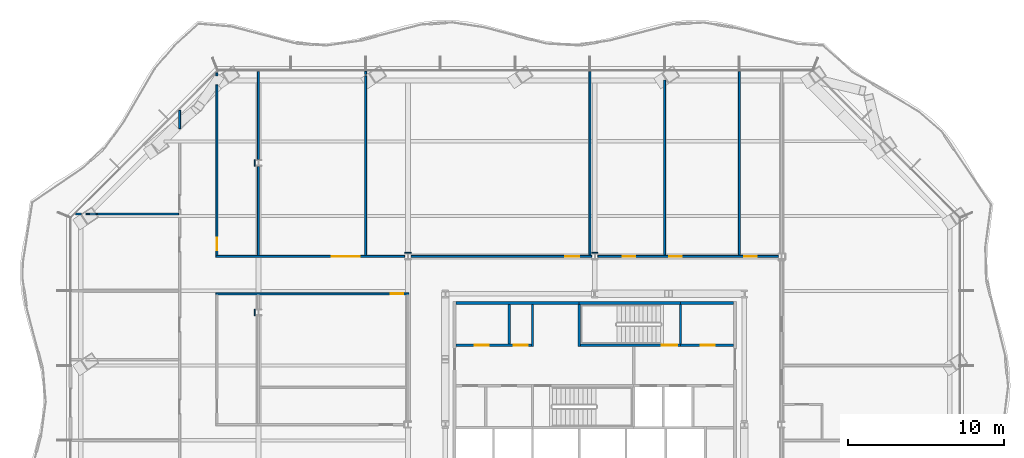
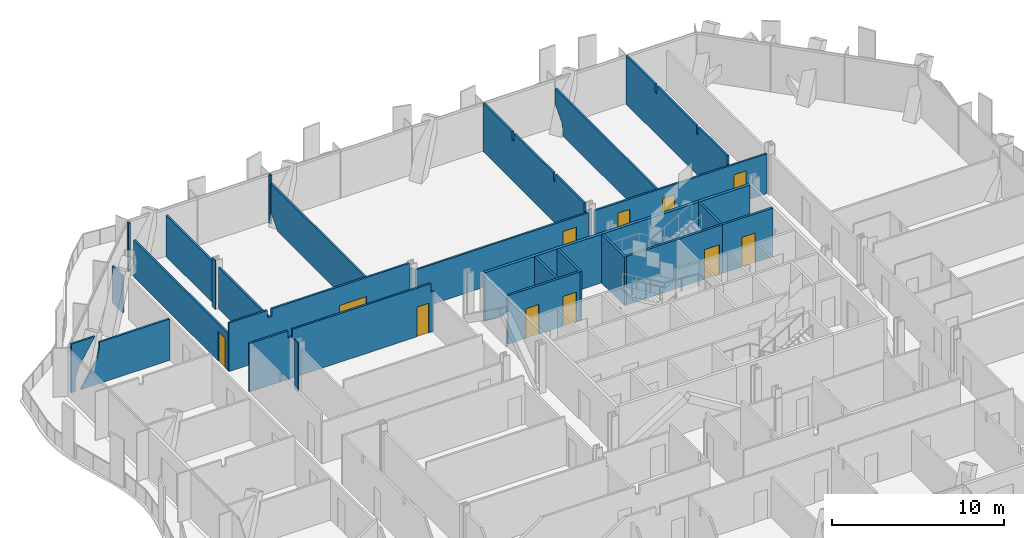
# One storey, part 11 of 19: 30 walls, 11 doors, 11 openings.
"""IFC4 building model written with IfcOpenShell, lengths in metres."""

from ifc_helpers import new_model, si_unit, direction, frame, frame_2d, origin, place, context, subcontext, project, spatial, polyline, rectangle, outline, extrude, material, layer, layer_set, type_object, element, fill, save


model = new_model("IFC4")

# Units and contexts
model_context = context("Model", 3, precision=1e-05, world=origin(), true_north=direction((0.0, 1.0)))
body_context = subcontext(model_context, "Body", "Model", "MODEL_VIEW")
ifc_project = project(units=[si_unit("LENGTHUNIT", "METRE"), si_unit("AREAUNIT", "SQUARE_METRE"), si_unit("VOLUMEUNIT", "CUBIC_METRE"), si_unit("PLANEANGLEUNIT", "RADIAN"), si_unit("MASSUNIT", "GRAM", prefix="KILO")], contexts=[model_context])

# Site, building, storey
site_placement = place(None, origin())
site = spatial("IfcSite", under=ifc_project, at=site_placement, CompositionType="ELEMENT")
building_placement = place(site_placement, origin())
building = spatial("IfcBuilding", under=site, at=building_placement, Name="Cairn Pilgrim Tower", CompositionType="ELEMENT")
storey_placement = place(building_placement, frame((0.0, 0.0, 97.800048828125)))
storey = spatial("IfcBuildingStorey", under=building, at=storey_placement, Name="L23", CompositionType="ELEMENT", Elevation=97.800048828125)

# Walls
ifc_material_1 = material(Name="Concrete C32/40", Category="concrete")
ifc_layer_1 = layer(ifc_material_1, 0.199951171875)
ifc_layer_set_1 = layer_set([ifc_layer_1], Name="CORE OUTER WALL 200 EI 120")
wall_type_1 = type_object("IfcWallType", Name="CORE OUTER WALL 200 EI 120", PredefinedType="SOLIDWALL", material=ifc_layer_set_1)
wall_1_placement = place(storey_placement, frame((-1.699951171875, 10.199951171875, 0.0), z_axis=(0.0, 0.0, 1.0), x_axis=(1.0, 0.0, 0.0)))
element("IfcWall", 1, at=wall_1_placement, inside=storey, type_object=wall_type_1, Name="CW:L23:H11-1", PredefinedType="SOLIDWALL", context=body_context, shape_type="SweptSolid", body=[
    extrude(rectangle(XDim=7.89990234375, YDim=0.199951171875, at=frame_2d((3.949951171875, 0.0))), origin(), (0.0, 0.0, 1.0), 3.449951171875),
])
wall_2_placement = place(storey_placement, frame((12.699951171875, 10.199951171875, 0.0), z_axis=(0.0, 0.0, 1.0), x_axis=(1.0, 0.0, 0.0)))
element("IfcWall", 2, at=wall_2_placement, inside=storey, type_object=wall_type_1, Name="CW:L23:H11-3", PredefinedType="SOLIDWALL", context=body_context, shape_type="SweptSolid", body=[
    extrude(rectangle(XDim=3.400146484375, YDim=0.199951171875, at=frame_2d((1.7001953125, 0.0))), origin(), (0.0, 0.0, 1.0), 3.449951171875),
])

# Wall, openings, doors
ifc_layer_2 = layer(ifc_material_1, 0.14990234375)
ifc_layer_set_2 = layer_set([ifc_layer_2], Name="CORE PARTITION 150 EI 60")
wall_type_2 = type_object("IfcWallType", Name="CORE PARTITION 150 EI 60", PredefinedType="PARTITIONING", material=ifc_layer_set_2)
wall_3_placement = place(storey_placement, frame((-1.699951171875, 7.5, 0.0), z_axis=(0.0, 0.0, 1.0), x_axis=(1.0, 0.0, 0.0)))
wall_3 = element("IfcWall", 3, at=wall_3_placement, inside=storey, type_object=wall_type_2, Name="CW:L23:H09", PredefinedType="PARTITIONING", context=body_context, shape_type="SweptSolid", body=[
    extrude(rectangle(XDim=4.824951171875, YDim=0.14990234375, at=frame_2d((2.41259765625, 0.0))), origin(), (0.0, 0.0, 1.0), 3.449951171875),
])
opening_1_placement = place(wall_3_placement, frame((1.199951171875, 0.0, 0.0)))
opening_1 = element("IfcOpeningElement", 4, at=opening_1_placement, cuts=wall_3, Name="Opening RD-R4W1", PredefinedType="OPENING", context=body_context, shape_type="SweptSolid", body=[
    extrude(rectangle(XDim=0.89990234375, YDim=2.10009765625, at=frame_2d((0.449951171875, 1.050048828125))), frame((0.0, 0.0849609375, 0.0), z_axis=(0.0, -1.0, 0.0), x_axis=(1.0, 0.0, 0.0)), (0.0, 0.0, 1.0), 0.169921875),
])
opening_2_placement = place(wall_3_placement, frame((3.699951171875, 0.0, 0.0)))
opening_2 = element("IfcOpeningElement", 5, at=opening_2_placement, cuts=wall_3, Name="Opening RD-R4W2", PredefinedType="OPENING", context=body_context, shape_type="SweptSolid", body=[
    extrude(rectangle(XDim=0.89990234375, YDim=2.10009765625, at=frame_2d((0.449951171875, 1.050048828125))), frame((0.0, 0.0849609375, 0.0), z_axis=(0.0, -1.0, 0.0), x_axis=(1.0, 0.0, 0.0)), (0.0, 0.0, 1.0), 0.169921875),
])
ifc_material_2 = material(Name="Painted steel", Category="steel")
door_type_1 = type_object("IfcDoorType", Name="SERVICE ROOM DOOR 900x2100", OperationType="SINGLE_SWING_LEFT", PredefinedType="DOOR", material=ifc_material_2)
door_1_placement = place(opening_1_placement, origin())
door_1 = element("IfcDoor", 6, at=door_1_placement, inside=storey, type_object=door_type_1, Name="RD-R4W1", OperationType="SINGLE_SWING_LEFT", OverallHeight=2.10009765625, OverallWidth=0.89990234375, PredefinedType="DOOR", context=body_context, shape_type="SweptSolid", body=[
    extrude(rectangle(XDim=0.89990234375, YDim=2.10009765625, at=frame_2d((0.449951171875, 1.050048828125))), frame((0.0, 0.02490234375, 0.0), z_axis=(0.0, -1.0, 0.0), x_axis=(1.0, 0.0, 0.0)), (0.0, 0.0, 1.0), 0.050048828125),
])
fill(opening_1, door_1)
door_2_placement = place(opening_2_placement, origin())
door_2 = element("IfcDoor", 7, at=door_2_placement, inside=storey, type_object=door_type_1, Name="RD-R4W2", OperationType="SINGLE_SWING_RIGHT", OverallHeight=2.10009765625, OverallWidth=0.89990234375, PredefinedType="DOOR", context=body_context, shape_type="SweptSolid", body=[
    extrude(rectangle(XDim=0.89990234375, YDim=2.10009765625, at=frame_2d((0.449951171875, 1.050048828125))), frame((0.0, 0.02490234375, 0.0), z_axis=(0.0, -1.0, 0.0), x_axis=(1.0, 0.0, 0.0)), (0.0, 0.0, 1.0), 0.050048828125),
])
fill(opening_2, door_2)

# Walls
wall_4_placement = place(storey_placement, frame((1.699951171875, 7.574951171875, 0.0), z_axis=(0.0, 0.0, 1.0), x_axis=(0.0, 1.0, 0.0)))
element("IfcWall", 8, at=wall_4_placement, inside=storey, type_object=wall_type_2, Name="CW:L23:V16", PredefinedType="PARTITIONING", context=body_context, shape_type="SweptSolid", body=[
    extrude(rectangle(XDim=2.525146484375, YDim=0.14990234375, at=frame_2d((1.2626953125, 0.0))), origin(), (0.0, 0.0, 1.0), 3.449951171875),
])
wall_5_placement = place(storey_placement, frame((3.199951171875, 7.425048828125, 0.0), z_axis=(0.0, 0.0, 1.0), x_axis=(0.0, 1.0, 0.0)))
element("IfcWall", 9, at=wall_5_placement, inside=storey, type_object=wall_type_2, Name="CW:L23:V20", PredefinedType="PARTITIONING", context=body_context, shape_type="SweptSolid", body=[
    extrude(rectangle(XDim=2.675048828125, YDim=0.14990234375, at=frame_2d((1.33740234375, 0.0))), origin(), (0.0, 0.0, 1.0), 3.449951171875),
])

# Wall, opening, door
ifc_layer_3 = layer(ifc_material_1, 0.14990234375)
ifc_layer_set_3 = layer_set([ifc_layer_3], Name="CORE SHAFT WALL 150 EI 120")
wall_type_3 = type_object("IfcWallType", Name="CORE SHAFT WALL 150 EI 120", PredefinedType="SOLIDWALL", material=ifc_layer_set_3)
wall_6_placement = place(storey_placement, frame((12.699951171875, 7.5, 0.0), z_axis=(0.0, 0.0, 1.0), x_axis=(1.0, 0.0, 0.0)))
wall_6 = element("IfcWall", 10, at=wall_6_placement, inside=storey, type_object=wall_type_3, Name="CW:L23:H10-2", PredefinedType="SOLIDWALL", context=body_context, shape_type="SweptSolid", body=[
    extrude(rectangle(XDim=3.400146484375, YDim=0.14990234375, at=frame_2d((1.7001953125, 0.0))), origin(), (0.0, 0.0, 1.0), 3.449951171875),
])
opening_3_placement = place(wall_6_placement, frame((1.300048828125, 0.0, 0.0)))
opening_3 = element("IfcOpeningElement", 11, at=opening_3_placement, cuts=wall_6, Name="Opening RD-R4E", PredefinedType="OPENING", context=body_context, shape_type="SweptSolid", body=[
    extrude(rectangle(XDim=0.89990234375, YDim=2.10009765625, at=frame_2d((0.449951171875, 1.050048828125))), frame((0.0, 0.0849609375, 0.0), z_axis=(0.0, -1.0, 0.0), x_axis=(1.0, 0.0, 0.0)), (0.0, 0.0, 1.0), 0.169921875),
])
door_3_placement = place(opening_3_placement, origin())
door_3 = element("IfcDoor", 12, at=door_3_placement, inside=storey, type_object=door_type_1, Name="RD-R4E", OperationType="SINGLE_SWING_RIGHT", OverallHeight=2.10009765625, OverallWidth=0.89990234375, PredefinedType="DOOR", context=body_context, shape_type="SweptSolid", body=[
    extrude(rectangle(XDim=0.89990234375, YDim=2.10009765625, at=frame_2d((0.449951171875, 1.050048828125))), frame((0.0, 0.02490234375, 0.0), z_axis=(0.0, -1.0, 0.0), x_axis=(1.0, 0.0, 0.0)), (0.0, 0.0, 1.0), 0.050048828125),
])
fill(opening_3, door_3)

ifc_material_3 = material(Name="Gypsum partition")
ifc_layer_4 = layer(ifc_material_3, 0.125)
ifc_layer_set_4 = layer_set([ifc_layer_4], Name="PARTITION 125 DRYWALL EI 60")
wall_type_4 = type_object("IfcWallType", Name="PARTITION 125 DRYWALL EI 60", PredefinedType="PARTITIONING", material=ifc_layer_set_4)
wall_7_placement = place(storey_placement, frame((-17.12548828125, 10.800048828125, 0.0), z_axis=(0.0, 0.0, 1.0), x_axis=(1.0, 0.0, 0.0)))
wall_7 = element("IfcWall", 13, at=wall_7_placement, inside=storey, type_object=wall_type_4, Name="PARTITION W065", PredefinedType="PARTITIONING", context=body_context, shape_type="SweptSolid", body=[
    extrude(outline(polyline([(0.0, 0.0), (12.387939453125, 0.0), (12.387939453125, 2.829833984375), (12.175537109375, 2.829833984375), (12.173583984375, 3.449951171875), (2.87548828125, 3.449951171875), (2.87353515625, 2.929931640625), (2.575439453125, 2.929931640625), (2.573486328125, 3.449951171875), (0.0, 3.449951171875), (0.0, 0.0)])), frame((0.0, 0.0625, 0.0), z_axis=(0.0, -1.0, 0.0), x_axis=(1.0, 0.0, 0.0)), (0.0, 0.0, 1.0), 0.125),
])
opening_4_placement = place(wall_7_placement, frame((11.2255859375, 0.0, 0.0)))
opening_4 = element("IfcOpeningElement", 14, at=opening_4_placement, cuts=wall_7, Name="Opening 2332", PredefinedType="OPENING", context=body_context, shape_type="SweptSolid", body=[
    extrude(rectangle(XDim=0.800048828125, YDim=2.10009765625, at=frame_2d((0.39990234375, 1.050048828125))), frame((0.0, 0.072509765625, 0.0), z_axis=(0.0, -1.0, 0.0), x_axis=(1.0, 0.0, 0.0)), (0.0, 0.0, 1.0), 0.14501953125),
])
ifc_material_4 = material(Name="Steel-faced fire door leaf", Category="steel")
door_type_2 = type_object("IfcDoorType", Name="FIRE DOOR 800x2100 FD30S", OperationType="NOTDEFINED", PredefinedType="DOOR", material=ifc_material_4)
door_4_placement = place(opening_4_placement, frame((0.800048828125, 0.0, 0.0), z_axis=(0.0, 0.0, 1.0), x_axis=(-1.0, 0.0, 0.0)))
door_4 = element("IfcDoor", 15, at=door_4_placement, inside=storey, type_object=door_type_2, Name="DOOR 2332", OperationType="SINGLE_SWING_LEFT", OverallHeight=2.10009765625, OverallWidth=0.800048828125, PredefinedType="DOOR", context=body_context, shape_type="SweptSolid", body=[
    extrude(rectangle(XDim=0.800048828125, YDim=2.10009765625, at=frame_2d((0.39990234375, 1.050048828125))), frame((0.0, 0.02490234375, 0.0), z_axis=(0.0, -1.0, 0.0), x_axis=(1.0, 0.0, 0.0)), (0.0, 0.0, 1.0), 0.050048828125),
])
fill(opening_4, door_4)

wall_8_placement = place(storey_placement, frame((-17.12548828125, 13.199951171875, 0.0), z_axis=(0.0, 0.0, 1.0), x_axis=(1.0, 0.0, 0.0)))
wall_8 = element("IfcWall", 16, at=wall_8_placement, inside=storey, type_object=wall_type_4, Name="PARTITION W067", PredefinedType="PARTITIONING", context=body_context, shape_type="SweptSolid", body=[
    extrude(outline(polyline([(0.0, 0.0), (12.12109375, 0.0), (12.12109375, 3.449951171875), (2.87548828125, 3.449951171875), (2.87353515625, 2.929931640625), (2.575439453125, 2.929931640625), (2.573486328125, 3.449951171875), (0.0, 3.449951171875), (0.0, 0.0)])), frame((0.0, 0.0625, 0.0), z_axis=(0.0, -1.0, 0.0), x_axis=(1.0, 0.0, 0.0)), (0.0, 0.0, 1.0), 0.125),
])
opening_5_placement = place(wall_8_placement, frame((7.425537109375, 0.0, 0.0)))
opening_5 = element("IfcOpeningElement", 17, at=opening_5_placement, cuts=wall_8, Name="Opening 2318", PredefinedType="OPENING", context=body_context, shape_type="SweptSolid", body=[
    extrude(rectangle(XDim=1.800048828125, YDim=2.10009765625, at=frame_2d((0.89990234375, 1.050048828125))), frame((0.0, 0.072509765625, 0.0), z_axis=(0.0, -1.0, 0.0), x_axis=(1.0, 0.0, 0.0)), (0.0, 0.0, 1.0), 0.14501953125),
])
ifc_material_5 = material(Name="Timber door leaf", Category="wood")
door_type_3 = type_object("IfcDoorType", Name="DOOR PAIR 1800x2100 FD30S", OperationType="NOTDEFINED", PredefinedType="DOOR", material=ifc_material_5)
door_5_placement = place(opening_5_placement, origin())
door_5 = element("IfcDoor", 18, at=door_5_placement, inside=storey, type_object=door_type_3, Name="DOOR 2318", OperationType="DOUBLE_DOOR_SINGLE_SWING", OverallHeight=2.10009765625, OverallWidth=1.800048828125, PredefinedType="DOOR", context=body_context, shape_type="SweptSolid", body=[
    extrude(rectangle(XDim=1.800048828125, YDim=2.10009765625, at=frame_2d((0.89990234375, 1.050048828125))), frame((0.0, 0.02490234375, 0.0), z_axis=(0.0, -1.0, 0.0), x_axis=(1.0, 0.0, 0.0)), (0.0, 0.0, 1.0), 0.050048828125),
])
fill(opening_5, door_5)

wall_9_placement = place(storey_placement, frame((-4.595458984375, 13.199951171875, 0.0), z_axis=(0.0, 0.0, 1.0), x_axis=(1.0, 0.0, 0.0)))
wall_9 = element("IfcWall", 19, at=wall_9_placement, inside=storey, type_object=wall_type_4, Name="PARTITION W068", PredefinedType="PARTITIONING", context=body_context, shape_type="SweptSolid", body=[
    extrude(rectangle(XDim=11.591064453125, YDim=0.125, at=frame_2d((5.79541015625, 0.0))), origin(), (0.0, 0.0, 1.0), 2.829833984375),
])
opening_6_placement = place(wall_9_placement, frame((9.8955078125, 0.0, 0.0)))
opening_6 = element("IfcOpeningElement", 20, at=opening_6_placement, cuts=wall_9, Name="Opening 2319", PredefinedType="OPENING", context=body_context, shape_type="SweptSolid", body=[
    extrude(rectangle(XDim=0.89990234375, YDim=2.10009765625, at=frame_2d((0.449951171875, 1.050048828125))), frame((0.0, 0.072509765625, 0.0), z_axis=(0.0, -1.0, 0.0), x_axis=(1.0, 0.0, 0.0)), (0.0, 0.0, 1.0), 0.14501953125),
])
door_type_4 = type_object("IfcDoorType", Name="FIRE DOOR 900x2100 FD30S", OperationType="NOTDEFINED", PredefinedType="DOOR", material=ifc_material_4)
door_6_placement = place(opening_6_placement, origin())
door_6 = element("IfcDoor", 21, at=door_6_placement, inside=storey, type_object=door_type_4, Name="DOOR 2319", OperationType="SINGLE_SWING_LEFT", OverallHeight=2.10009765625, OverallWidth=0.89990234375, PredefinedType="DOOR", context=body_context, shape_type="SweptSolid", body=[
    extrude(rectangle(XDim=0.89990234375, YDim=2.10009765625, at=frame_2d((0.449951171875, 1.050048828125))), frame((0.0, 0.02490234375, 0.0), z_axis=(0.0, -1.0, 0.0), x_axis=(1.0, 0.0, 0.0)), (0.0, 0.0, 1.0), 0.050048828125),
])
fill(opening_6, door_6)

# Wall, openings, doors
wall_10_placement = place(storey_placement, frame((7.404541015625, 13.199951171875, 0.0), z_axis=(0.0, 0.0, 1.0), x_axis=(1.0, 0.0, 0.0)))
wall_10 = element("IfcWall", 22, at=wall_10_placement, inside=storey, type_object=wall_type_4, Name="PARTITION W069", PredefinedType="PARTITIONING", context=body_context, shape_type="SweptSolid", body=[
    extrude(rectangle(XDim=11.591064453125, YDim=0.125, at=frame_2d((5.79541015625, 0.0))), origin(), (0.0, 0.0, 1.0), 2.829833984375),
])
opening_7_placement = place(wall_10_placement, frame((1.58251953125, 0.0, 0.0)))
opening_7 = element("IfcOpeningElement", 23, at=opening_7_placement, cuts=wall_10, Name="Opening 2320", PredefinedType="OPENING", context=body_context, shape_type="SweptSolid", body=[
    extrude(rectangle(XDim=0.800048828125, YDim=2.10009765625, at=frame_2d((0.39990234375, 1.050048828125))), frame((0.0, 0.072509765625, 0.0), z_axis=(0.0, -1.0, 0.0), x_axis=(1.0, 0.0, 0.0)), (0.0, 0.0, 1.0), 0.14501953125),
])
opening_8_placement = place(wall_10_placement, frame((4.58251953125, 0.0, 0.0)))
opening_8 = element("IfcOpeningElement", 24, at=opening_8_placement, cuts=wall_10, Name="Opening 2321", PredefinedType="OPENING", context=body_context, shape_type="SweptSolid", body=[
    extrude(rectangle(XDim=0.800048828125, YDim=2.10009765625, at=frame_2d((0.39990234375, 1.050048828125))), frame((0.0, 0.072509765625, 0.0), z_axis=(0.0, -1.0, 0.0), x_axis=(1.0, 0.0, 0.0)), (0.0, 0.0, 1.0), 0.14501953125),
])
opening_9_placement = place(wall_10_placement, frame((9.382568359375, 0.0, 0.0)))
opening_9 = element("IfcOpeningElement", 25, at=opening_9_placement, cuts=wall_10, Name="Opening 2322", PredefinedType="OPENING", context=body_context, shape_type="SweptSolid", body=[
    extrude(rectangle(XDim=0.800048828125, YDim=2.10009765625, at=frame_2d((0.39990234375, 1.050048828125))), frame((0.0, 0.072509765625, 0.0), z_axis=(0.0, -1.0, 0.0), x_axis=(1.0, 0.0, 0.0)), (0.0, 0.0, 1.0), 0.14501953125),
])
door_7_placement = place(opening_7_placement, origin())
door_7 = element("IfcDoor", 26, at=door_7_placement, inside=storey, type_object=door_type_2, Name="DOOR 2320", OperationType="SINGLE_SWING_RIGHT", OverallHeight=2.10009765625, OverallWidth=0.800048828125, PredefinedType="DOOR", context=body_context, shape_type="SweptSolid", body=[
    extrude(rectangle(XDim=0.800048828125, YDim=2.10009765625, at=frame_2d((0.39990234375, 1.050048828125))), frame((0.0, 0.02490234375, 0.0), z_axis=(0.0, -1.0, 0.0), x_axis=(1.0, 0.0, 0.0)), (0.0, 0.0, 1.0), 0.050048828125),
])
fill(opening_7, door_7)
door_8_placement = place(opening_8_placement, origin())
door_8 = element("IfcDoor", 27, at=door_8_placement, inside=storey, type_object=door_type_2, Name="DOOR 2321", OperationType="SINGLE_SWING_LEFT", OverallHeight=2.10009765625, OverallWidth=0.800048828125, PredefinedType="DOOR", context=body_context, shape_type="SweptSolid", body=[
    extrude(rectangle(XDim=0.800048828125, YDim=2.10009765625, at=frame_2d((0.39990234375, 1.050048828125))), frame((0.0, 0.02490234375, 0.0), z_axis=(0.0, -1.0, 0.0), x_axis=(1.0, 0.0, 0.0)), (0.0, 0.0, 1.0), 0.050048828125),
])
fill(opening_8, door_8)
door_9_placement = place(opening_9_placement, origin())
door_9 = element("IfcDoor", 28, at=door_9_placement, inside=storey, type_object=door_type_2, Name="DOOR 2322", OperationType="SINGLE_SWING_RIGHT", OverallHeight=2.10009765625, OverallWidth=0.800048828125, PredefinedType="DOOR", context=body_context, shape_type="SweptSolid", body=[
    extrude(rectangle(XDim=0.800048828125, YDim=2.10009765625, at=frame_2d((0.39990234375, 1.050048828125))), frame((0.0, 0.02490234375, 0.0), z_axis=(0.0, -1.0, 0.0), x_axis=(1.0, 0.0, 0.0)), (0.0, 0.0, 1.0), 0.050048828125),
])
fill(opening_9, door_9)

# Wall, opening, door
wall_11_placement = place(storey_placement, frame((-17.06298828125, 13.262451171875, 0.0), z_axis=(0.0, 0.0, 1.0), x_axis=(0.0, 1.0, 0.0)))
wall_11 = element("IfcWall", 29, at=wall_11_placement, inside=storey, type_object=wall_type_4, Name="PARTITION W070", PredefinedType="PARTITIONING", context=body_context, shape_type="SweptSolid", body=[
    extrude(outline(polyline([(0.0, 0.0), (10.9482421875, 0.0), (10.9482421875, 0.862548828125), (10.9482421875, 1.724853515625), (10.9482421875, 2.58740234375), (10.9482421875, 2.6298828125), (0.0, 2.6298828125), (0.0, 2.58740234375), (0.0, 1.724853515625), (0.0, 0.862548828125), (0.0, 0.0)])), frame((0.0, 0.0625, 0.0), z_axis=(0.0, -1.0, 0.0), x_axis=(1.0, 0.0, 0.0)), (0.0, 0.0, 1.0), 0.125),
])
opening_10_placement = place(wall_11_placement, frame((0.325439453125, 0.0, 0.0)))
opening_10 = element("IfcOpeningElement", 30, at=opening_10_placement, cuts=wall_11, Name="Opening 2317", PredefinedType="OPENING", context=body_context, shape_type="SweptSolid", body=[
    extrude(rectangle(XDim=0.800048828125, YDim=2.10009765625, at=frame_2d((0.39990234375, 1.050048828125))), frame((0.0, 0.072509765625, 0.0), z_axis=(0.0, -1.0, 0.0), x_axis=(1.0, 0.0, 0.0)), (0.0, 0.0, 1.0), 0.14501953125),
])
door_10_placement = place(opening_10_placement, frame((0.800048828125, 0.0, 0.0), z_axis=(0.0, 0.0, 1.0), x_axis=(-1.0, 0.0, 0.0)))
door_10 = element("IfcDoor", 31, at=door_10_placement, inside=storey, type_object=door_type_2, Name="DOOR 2317", OperationType="SINGLE_SWING_LEFT", OverallHeight=2.10009765625, OverallWidth=0.800048828125, PredefinedType="DOOR", context=body_context, shape_type="SweptSolid", body=[
    extrude(rectangle(XDim=0.800048828125, YDim=2.10009765625, at=frame_2d((0.39990234375, 1.050048828125))), frame((0.0, 0.02490234375, 0.0), z_axis=(0.0, -1.0, 0.0), x_axis=(1.0, 0.0, 0.0)), (0.0, 0.0, 1.0), 0.050048828125),
])
fill(opening_10, door_10)

# Walls
wall_12_placement = place(storey_placement, frame((-14.39990234375, 13.262451171875, 0.0), z_axis=(0.0, 0.0, 1.0), x_axis=(0.0, 1.0, 0.0)))
element("IfcWall", 32, at=wall_12_placement, inside=storey, type_object=wall_type_4, Name="PARTITION W071", PredefinedType="PARTITIONING", context=body_context, shape_type="SweptSolid", body=[
    extrude(rectangle(XDim=5.72509765625, YDim=0.125, at=frame_2d((2.862548828125, 0.0))), origin(), (0.0, 0.0, 1.0), 2.929931640625),
])
wall_13_placement = place(storey_placement, frame((-7.512939453125, 13.262451171875, 0.0), z_axis=(0.0, 0.0, 1.0), x_axis=(0.0, 1.0, 0.0)))
element("IfcWall", 33, at=wall_13_placement, inside=storey, type_object=wall_type_4, Name="PARTITION W072", PredefinedType="PARTITIONING", context=body_context, shape_type="SweptSolid", body=[
    extrude(outline(polyline([(0.0, 0.0), (10.74365234375, 0.0), (11.529052734375, 0.862548828125), (11.529052734375, 1.724853515625), (11.529052734375, 2.58740234375), (11.529052734375, 2.929931640625), (0.0, 2.929931640625), (0.0, 2.58740234375), (0.0, 1.724853515625), (0.0, 0.862548828125), (0.0, 0.0)])), frame((0.0, 0.0625, 0.0), z_axis=(0.0, -1.0, 0.0), x_axis=(1.0, 0.0, 0.0)), (0.0, 0.0, 1.0), 0.125),
])
wall_14_placement = place(storey_placement, frame((6.886962890625, 13.262451171875, 0.0), z_axis=(0.0, 0.0, 1.0), x_axis=(0.0, 1.0, 0.0)))
element("IfcWall", 34, at=wall_14_placement, inside=storey, type_object=wall_type_4, Name="PARTITION W073", PredefinedType="PARTITIONING", context=body_context, shape_type="SweptSolid", body=[
    extrude(outline(polyline([(0.0, 0.0), (11.81884765625, 0.0), (11.81884765625, 3.449951171875), (8.4423828125, 3.449951171875), (8.4404296875, 2.8798828125), (8.232421875, 2.8798828125), (8.23046875, 3.449951171875), (3.642578125, 3.449951171875), (3.640380859375, 2.8798828125), (3.4326171875, 2.8798828125), (3.430419921875, 3.449951171875), (0.08740234375, 3.449951171875), (0.08544921875, 2.829833984375), (0.0, 2.829833984375), (0.0, 0.0)])), frame((0.0, 0.0625, 0.0), z_axis=(0.0, -1.0, 0.0), x_axis=(1.0, 0.0, 0.0)), (0.0, 0.0, 1.0), 0.125),
])
wall_15_placement = place(storey_placement, frame((11.68701171875, 13.262451171875, 0.0), z_axis=(0.0, 0.0, 1.0), x_axis=(0.0, 1.0, 0.0)))
element("IfcWall", 35, at=wall_15_placement, inside=storey, type_object=wall_type_4, Name="PARTITION W074", PredefinedType="PARTITIONING", context=body_context, shape_type="SweptSolid", body=[
    extrude(outline(polyline([(0.0, 0.0), (10.830810546875, 0.0), (10.9697265625, 0.862548828125), (11.755126953125, 1.724853515625), (11.755126953125, 2.58740234375), (11.755126953125, 2.829833984375), (0.0, 2.829833984375), (0.0, 2.58740234375), (0.0, 1.724853515625), (0.0, 0.862548828125), (0.0, 0.0)])), frame((0.0, 0.0625, 0.0), z_axis=(0.0, -1.0, 0.0), x_axis=(1.0, 0.0, 0.0)), (0.0, 0.0, 1.0), 0.125),
])
wall_16_placement = place(storey_placement, frame((16.487060546875, 13.262451171875, 0.0), z_axis=(0.0, 0.0, 1.0), x_axis=(0.0, 1.0, 0.0)))
element("IfcWall", 36, at=wall_16_placement, inside=storey, type_object=wall_type_4, Name="PARTITION W075", PredefinedType="PARTITIONING", context=body_context, shape_type="SweptSolid", body=[
    extrude(outline(polyline([(0.0, 0.0), (11.81884765625, 0.0), (11.81884765625, 3.449951171875), (8.4423828125, 3.449951171875), (8.4404296875, 2.8798828125), (8.232421875, 2.8798828125), (8.23046875, 3.449951171875), (3.642578125, 3.449951171875), (3.640380859375, 2.8798828125), (3.4326171875, 2.8798828125), (3.430419921875, 3.449951171875), (0.08740234375, 3.449951171875), (0.08544921875, 2.829833984375), (0.0, 2.829833984375), (0.0, 0.0)])), frame((0.0, 0.0625, 0.0), z_axis=(0.0, -1.0, 0.0), x_axis=(1.0, 0.0, 0.0)), (0.0, 0.0, 1.0), 0.125),
])
wall_17_placement = place(storey_placement, frame((-26.13818359375, 15.923095703125, 0.0), z_axis=(0.0, 0.0, 1.0), x_axis=(1.0, 0.0, 0.0)))
element("IfcWall", 37, at=wall_17_placement, inside=storey, type_object=wall_type_4, Name="PARTITION W077", PredefinedType="PARTITIONING", context=body_context, shape_type="SweptSolid", body=[
    extrude(outline(polyline([(0.0, 0.0), (0.26708984375, 0.0), (0.26708984375, 0.862548828125), (0.547119140625, 1.724853515625), (1.070556640625, 2.58740234375), (1.59423828125, 3.449951171875), (0.0, 3.449951171875), (0.0, 2.58740234375), (0.0, 1.724853515625), (0.0, 0.862548828125), (0.0, 0.0)])), frame((0.0, 0.0625, 0.0), z_axis=(0.0, -1.0, 0.0), x_axis=(1.0, 0.0, 0.0)), (0.0, 0.0, 1.0), 0.125),
])
wall_18_placement = place(storey_placement, frame((-25.477783203125, 15.923095703125, 0.0), z_axis=(0.0, 0.0, 1.0), x_axis=(1.0, 0.0, 0.0)))
element("IfcWall", 38, at=wall_18_placement, inside=storey, type_object=wall_type_4, Name="PARTITION W078", PredefinedType="PARTITIONING", context=body_context, shape_type="SweptSolid", body=[
    extrude(outline(polyline([(0.0, 0.0), (5.952392578125, 0.0), (5.952392578125, 0.862548828125), (5.952392578125, 1.724853515625), (5.952392578125, 2.58740234375), (5.952392578125, 2.929931640625), (1.236328125, 2.929931640625), (1.236328125, 2.58740234375), (1.047119140625, 1.724853515625), (0.523681640625, 0.862548828125), (0.0, 0.0)])), frame((0.0, 0.0625, 0.0), z_axis=(0.0, -1.0, 0.0), x_axis=(1.0, 0.0, 0.0)), (0.0, 0.0, 1.0), 0.125),
])
wall_19_placement = place(storey_placement, frame((-14.39990234375, 19.41259765625, 0.0), z_axis=(0.0, 0.0, 1.0), x_axis=(0.0, 1.0, 0.0)))
element("IfcWall", 39, at=wall_19_placement, inside=storey, type_object=wall_type_4, Name="PARTITION W079", PredefinedType="PARTITIONING", context=body_context, shape_type="SweptSolid", body=[
    extrude(rectangle(XDim=5.668701171875, YDim=0.125, at=frame_2d((2.83447265625, 0.0))), origin(), (0.0, 0.0, 1.0), 2.929931640625),
])
wall_20_placement = place(storey_placement, frame((-19.462890625, 21.414306640625, 0.0), z_axis=(0.0, 0.0, 1.0), x_axis=(0.0, 1.0, 0.0)))
element("IfcWall", 40, at=wall_20_placement, inside=storey, type_object=wall_type_4, Name="PARTITION W080", PredefinedType="PARTITIONING", context=body_context, shape_type="SweptSolid", body=[
    extrude(outline(polyline([(0.0, 0.0), (1.16552734375, 0.0), (1.16552734375, 0.862548828125), (1.16552734375, 1.724853515625), (1.16552734375, 2.58740234375), (1.16552734375, 2.6298828125), (0.0, 2.6298828125), (0.0, 2.58740234375), (0.0, 1.724853515625), (0.0, 0.862548828125), (0.0, 0.0)])), frame((0.0, 0.0625, 0.0), z_axis=(0.0, -1.0, 0.0), x_axis=(1.0, 0.0, 0.0)), (0.0, 0.0, 1.0), 0.125),
])
wall_21_placement = place(storey_placement, frame((-17.06298828125, 24.798583984375, 0.0), z_axis=(0.0, 0.0, 1.0), x_axis=(0.0, 1.0, 0.0)))
element("IfcWall", 41, at=wall_21_placement, inside=storey, type_object=wall_type_4, Name="PARTITION W081", PredefinedType="PARTITIONING", context=body_context, shape_type="SweptSolid", body=[
    extrude(outline(polyline([(0.0, 0.0), (0.181396484375, 0.0), (0.181396484375, 0.862548828125), (0.181396484375, 1.724853515625), (0.181396484375, 2.58740234375), (0.181396484375, 3.449951171875), (0.0, 3.449951171875), (0.0, 2.58740234375), (0.0, 1.724853515625), (0.0, 0.862548828125), (0.0, 0.0)])), frame((0.0, 0.0625, 0.0), z_axis=(0.0, -1.0, 0.0), x_axis=(1.0, 0.0, 0.0)), (0.0, 0.0, 1.0), 0.125),
])
wall_22_placement = place(storey_placement, frame((-7.512939453125, 24.889404296875, 0.0), z_axis=(0.0, 0.0, 1.0), x_axis=(0.0, 1.0, 0.0)))
element("IfcWall", 42, at=wall_22_placement, inside=storey, type_object=wall_type_4, Name="PARTITION W082", PredefinedType="PARTITIONING", context=body_context, shape_type="SweptSolid", body=[
    extrude(outline(polyline([(0.0, 0.0), (0.19189453125, 0.0), (0.19189453125, 0.862548828125), (0.19189453125, 1.724853515625), (0.19189453125, 2.58740234375), (0.19189453125, 3.449951171875), (0.0, 3.449951171875), (0.0, 2.58740234375), (0.0, 1.724853515625), (0.0, 0.862548828125), (0.0, 0.0)])), frame((0.0, 0.0625, 0.0), z_axis=(0.0, -1.0, 0.0), x_axis=(1.0, 0.0, 0.0)), (0.0, 0.0, 1.0), 0.125),
])
ifc_layer_5 = layer(ifc_material_3, 0.050048828125)
ifc_layer_set_5 = layer_set([ifc_layer_5], Name="PARTITION 50 DRYWALL EI 60")
wall_type_5 = type_object("IfcWallType", Name="PARTITION 50 DRYWALL EI 60", PredefinedType="PARTITIONING", material=ifc_layer_set_5)
wall_23_placement = place(storey_placement, frame((-14.62939453125, 9.387451171875, 0.0), z_axis=(0.0, 0.0, 1.0), x_axis=(0.0, 1.0, 0.0)))
element("IfcWall", 43, at=wall_23_placement, inside=storey, type_object=wall_type_5, Name="COLUMN CASING WC14", PredefinedType="PARTITIONING", context=body_context, shape_type="SweptSolid", body=[
    extrude(rectangle(XDim=0.425048828125, YDim=0.050048828125, at=frame_2d((0.21240234375, 0.0))), origin(), (0.0, 0.0, 1.0), 3.449951171875),
])
for number, where, z_axis, x_axis, name in (
    (44, (-5.00439453125, 13.4375, 0.0), (0.0, 0.0, 1.0), (1.0, 0.0, 0.0), "COLUMN CASING WC16"),
    (45, (6.99560546875, 13.4375, 0.0), (0.0, 0.0, 1.0), (1.0, 0.0, 0.0), "COLUMN CASING WC17"),
):
    element("IfcWall", number, at=place(storey_placement, frame(where, z_axis=z_axis, x_axis=x_axis)), inside=storey, type_object=wall_type_5, Name=name, PredefinedType="PARTITIONING", context=body_context, shape_type="SweptSolid", body=[
        extrude(rectangle(XDim=0.408935546875, YDim=0.050048828125, at=frame_2d((0.20458984375, 0.0))), origin(), (0.0, 0.0, 1.0), 2.829833984375),
    ])
wall_24_placement = place(storey_placement, frame((-14.62939453125, 18.987548828125, 0.0), z_axis=(0.0, 0.0, 1.0), x_axis=(0.0, 1.0, 0.0)))
element("IfcWall", 46, at=wall_24_placement, inside=storey, type_object=wall_type_5, Name="COLUMN CASING WC19", PredefinedType="PARTITIONING", context=body_context, shape_type="SweptSolid", body=[
    extrude(rectangle(XDim=0.425048828125, YDim=0.050048828125, at=frame_2d((0.21240234375, 0.0))), origin(), (0.0, 0.0, 1.0), 3.449951171875),
])

# Wall, opening, door
ifc_material_6 = material(Name="Concrete C35/45", Category="concrete")
ifc_layer_6 = layer(ifc_material_6, 0.14990234375)
ifc_layer_set_6 = layer_set([ifc_layer_6], Name="STAIR SHAFT WALL 150 EI 120")
wall_type_6 = type_object("IfcWallType", Name="STAIR SHAFT WALL 150 EI 120", PredefinedType="SOLIDWALL", material=ifc_layer_set_6)
wall_25_placement = place(storey_placement, frame((6.27490234375, 7.5, 0.0), z_axis=(0.0, 0.0, 1.0), x_axis=(1.0, 0.0, 0.0)))
wall_25 = element("IfcWall", 47, at=wall_25_placement, inside=storey, type_object=wall_type_6, Name="CW:L23:H10-1", PredefinedType="SOLIDWALL", context=body_context, shape_type="SweptSolid", body=[
    extrude(rectangle(XDim=6.425048828125, YDim=0.14990234375, at=frame_2d((3.21240234375, 0.0))), origin(), (0.0, 0.0, 1.0), 3.449951171875),
])
opening_11_placement = place(wall_25_placement, frame((5.22509765625, 0.0, 0.0)))
opening_11 = element("IfcOpeningElement", 48, at=opening_11_placement, cuts=wall_25, Name="Opening SD-C", PredefinedType="OPENING", context=body_context, shape_type="SweptSolid", body=[
    extrude(rectangle(XDim=1.0, YDim=2.10009765625, at=frame_2d((0.5, 1.050048828125))), frame((0.0, 0.0849609375, 0.0), z_axis=(0.0, -1.0, 0.0), x_axis=(1.0, 0.0, 0.0)), (0.0, 0.0, 1.0), 0.169921875),
])
door_type_5 = type_object("IfcDoorType", Name="STAIR DOOR FD60S 1000x2100", OperationType="SINGLE_SWING_LEFT", PredefinedType="DOOR", material=ifc_material_2)
door_11_placement = place(opening_11_placement, origin())
door_11 = element("IfcDoor", 49, at=door_11_placement, inside=storey, type_object=door_type_5, Name="SD-C", OperationType="SINGLE_SWING_LEFT", OverallHeight=2.10009765625, OverallWidth=1.0, PredefinedType="DOOR", context=body_context, shape_type="SweptSolid", body=[
    extrude(rectangle(XDim=1.0, YDim=2.10009765625, at=frame_2d((0.5, 1.050048828125))), frame((0.0, 0.02490234375, 0.0), z_axis=(0.0, -1.0, 0.0), x_axis=(1.0, 0.0, 0.0)), (0.0, 0.0, 1.0), 0.050048828125),
])
fill(opening_11, door_11)

# Walls
wall_26_placement = place(storey_placement, frame((6.199951171875, 7.425048828125, 0.0), z_axis=(0.0, 0.0, 1.0), x_axis=(0.0, 1.0, 0.0)))
element("IfcWall", 50, at=wall_26_placement, inside=storey, type_object=wall_type_6, Name="CW:L23:V23", PredefinedType="SOLIDWALL", context=body_context, shape_type="SweptSolid", body=[
    extrude(rectangle(XDim=2.675048828125, YDim=0.14990234375, at=frame_2d((1.33740234375, 0.0))), origin(), (0.0, 0.0, 1.0), 3.449951171875),
])
wall_27_placement = place(storey_placement, frame((12.699951171875, 7.574951171875, 0.0), z_axis=(0.0, 0.0, 1.0), x_axis=(0.0, 1.0, 0.0)))
element("IfcWall", 51, at=wall_27_placement, inside=storey, type_object=wall_type_6, Name="CW:L23:V30", PredefinedType="SOLIDWALL", context=body_context, shape_type="SweptSolid", body=[
    extrude(rectangle(XDim=2.525146484375, YDim=0.14990234375, at=frame_2d((1.2626953125, 0.0))), origin(), (0.0, 0.0, 1.0), 3.449951171875),
])
ifc_layer_7 = layer(ifc_material_6, 0.199951171875)
ifc_layer_set_7 = layer_set([ifc_layer_7], Name="STAIR SHAFT WALL 200 EI 120")
wall_type_7 = type_object("IfcWallType", Name="STAIR SHAFT WALL 200 EI 120", PredefinedType="SOLIDWALL", material=ifc_layer_set_7)
wall_28_placement = place(storey_placement, frame((6.199951171875, 10.199951171875, 0.0), z_axis=(0.0, 0.0, 1.0), x_axis=(1.0, 0.0, 0.0)))
element("IfcWall", 52, at=wall_28_placement, inside=storey, type_object=wall_type_7, Name="CW:L23:H11-2", PredefinedType="SOLIDWALL", context=body_context, shape_type="SweptSolid", body=[
    extrude(rectangle(XDim=6.5, YDim=0.199951171875, at=frame_2d((3.25, 0.0))), origin(), (0.0, 0.0, 1.0), 3.449951171875),
])

save(model, "model.ifc")
